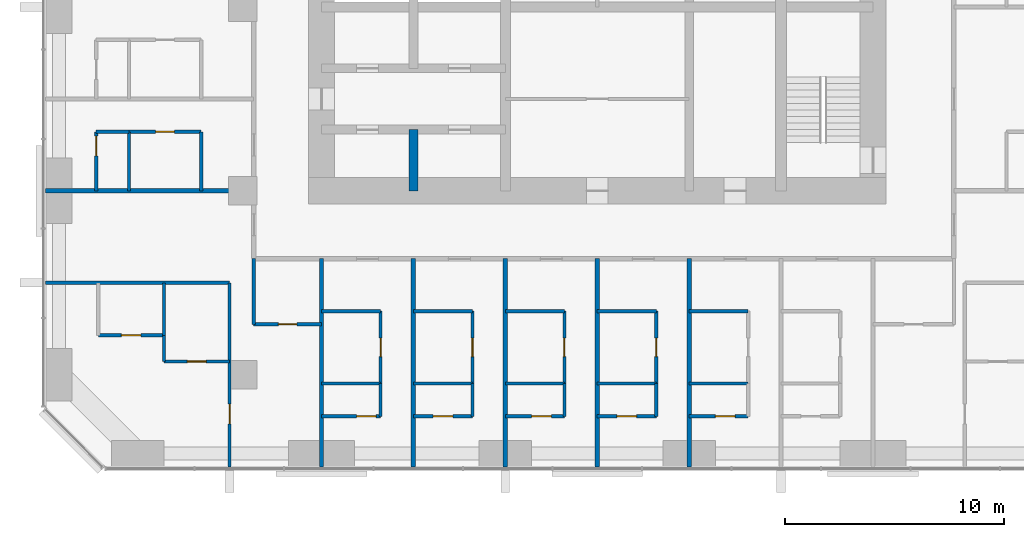
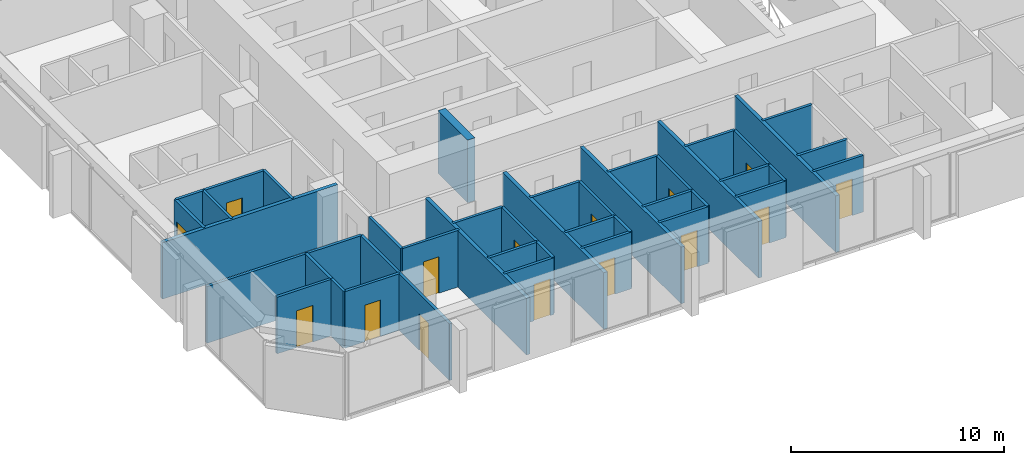
# One storey, part 8 of 14: 43 walls, 15 doors, 15 openings.
"""IFC4 building model written with IfcOpenShell, lengths in metres."""

from ifc_helpers import new_model, si_unit, direction, frame, frame_2d, origin, place, context, subcontext, project, spatial, rectangle, extrude, material, layer, layer_set, type_object, element, fill, save


model = new_model("IFC4")

# Units and contexts
model_context = context("Model", 3, precision=1e-05, world=origin(), true_north=direction((0.0, 1.0)))
body_context = subcontext(model_context, "Body", "Model", "MODEL_VIEW")
ifc_project = project(units=[si_unit("LENGTHUNIT", "METRE"), si_unit("AREAUNIT", "SQUARE_METRE"), si_unit("VOLUMEUNIT", "CUBIC_METRE"), si_unit("PLANEANGLEUNIT", "RADIAN"), si_unit("MASSUNIT", "GRAM", prefix="KILO")], contexts=[model_context])

# Site, building, storey
site_placement = place(None, origin())
site = spatial("IfcSite", under=ifc_project, at=site_placement, CompositionType="ELEMENT")
building_placement = place(site_placement, origin())
building = spatial("IfcBuilding", under=site, at=building_placement, Name="Dunama Terrace Hotel", CompositionType="ELEMENT")
storey_placement = place(building_placement, frame((0.0, 0.0, 213.0)))
storey = spatial("IfcBuildingStorey", under=building, at=storey_placement, Name="L55", CompositionType="ELEMENT", Elevation=213.0)

# Walls
ifc_material_1 = material(Name="Gypsum board partition", Category="masonry")
ifc_layer_1 = layer(ifc_material_1, 0.14990234375)
ifc_layer_set_1 = layer_set([ifc_layer_1], Name="Bathroom partition 150")
wall_type_1 = type_object("IfcWallType", Name="Bathroom partition 150", PredefinedType="PARTITIONING", material=ifc_layer_set_1)
wall_1_placement = place(storey_placement, frame((9.60009765625, 9.0, 0.0), z_axis=(0.0, 0.0, 1.0), x_axis=(0.0, 1.0, 0.0)))
element("IfcWall", 1, at=wall_1_placement, inside=storey, type_object=wall_type_1, Name="Bathroom partition 150 L55", PredefinedType="PARTITIONING", context=body_context, shape_type="SweptSolid", body=[
    extrude(rectangle(XDim=1.199951171875, YDim=0.14990234375, at=frame_2d((0.60009765625, 0.0))), origin(), (0.0, 0.0, 1.0), 3.25),
])
wall_2_placement = place(storey_placement, frame((11.300048828125, 16.800048828125, 0.0), z_axis=(0.0, 0.0, 1.0), x_axis=(0.0, 1.0, 0.0)))
element("IfcWall", 2, at=wall_2_placement, inside=storey, type_object=wall_type_1, Name="Bathroom partition 150 L55", PredefinedType="PARTITIONING", context=body_context, shape_type="SweptSolid", body=[
    extrude(rectangle(XDim=2.699951171875, YDim=0.14990234375, at=frame_2d((1.35009765625, 0.0))), origin(), (0.0, 0.0, 1.0), 3.25),
])
wall_3_placement = place(storey_placement, frame((13.699951171875, 10.699951171875, 0.0), z_axis=(0.0, 0.0, 1.0), x_axis=(0.0, 1.0, 0.0)))
element("IfcWall", 3, at=wall_3_placement, inside=storey, type_object=wall_type_1, Name="Bathroom partition 150 L55", PredefinedType="PARTITIONING", context=body_context, shape_type="SweptSolid", body=[
    extrude(rectangle(XDim=3.0, YDim=0.14990234375, at=frame_2d((1.5, 0.0))), origin(), (0.0, 0.0, 1.0), 3.25),
])

# Wall, opening, door
wall_4_placement = place(storey_placement, frame((19.5, 8.0, 0.0), z_axis=(0.0, 0.0, 1.0), x_axis=(0.0, 1.0, 0.0)))
wall_4 = element("IfcWall", 4, at=wall_4_placement, inside=storey, type_object=wall_type_1, Name="Bathroom partition 150 L55", PredefinedType="PARTITIONING", context=body_context, shape_type="SweptSolid", body=[
    extrude(rectangle(XDim=3.300048828125, YDim=0.14990234375, at=frame_2d((1.64990234375, 0.0))), origin(), (0.0, 0.0, 1.0), 3.25),
])
opening_1_placement = place(wall_4_placement, frame((1.22509765625, 0.0, 0.0)))
opening_1 = element("IfcOpeningElement", 5, at=opening_1_placement, cuts=wall_4, Name="Opening L55-010", PredefinedType="OPENING", context=body_context, shape_type="SweptSolid", body=[
    extrude(rectangle(XDim=0.85009765625, YDim=2.10009765625, at=frame_2d((0.425048828125, 1.050048828125))), frame((0.0, 0.0849609375, 0.0), z_axis=(0.0, -1.0, 0.0), x_axis=(1.0, 0.0, 0.0)), (0.0, 0.0, 1.0), 0.169921875),
])
ifc_material_2 = material(Name="Timber door with steel frame", Category="steel")
door_type_1 = type_object("IfcDoorType", Name="Bathroom door 850", OperationType="SINGLE_SWING_LEFT", PredefinedType="DOOR", material=ifc_material_2)
door_1_placement = place(opening_1_placement, origin())
door_1 = element("IfcDoor", 6, at=door_1_placement, inside=storey, type_object=door_type_1, Name="Door to en-suite bathroom L55-010, type D2", OperationType="SINGLE_SWING_LEFT", OverallHeight=2.10009765625, OverallWidth=0.85009765625, PredefinedType="DOOR", context=body_context, shape_type="SweptSolid", body=[
    extrude(rectangle(XDim=0.85009765625, YDim=2.10009765625, at=frame_2d((0.425048828125, 1.050048828125))), frame((0.0, 0.02490234375, 0.0), z_axis=(0.0, -1.0, 0.0), x_axis=(1.0, 0.0, 0.0)), (0.0, 0.0, 1.0), 0.050048828125),
])
fill(opening_1, door_1)

wall_5_placement = place(storey_placement, frame((23.699951171875, 8.0, 0.0), z_axis=(0.0, 0.0, 1.0), x_axis=(0.0, 1.0, 0.0)))
wall_5 = element("IfcWall", 7, at=wall_5_placement, inside=storey, type_object=wall_type_1, Name="Bathroom partition 150 L55", PredefinedType="PARTITIONING", context=body_context, shape_type="SweptSolid", body=[
    extrude(rectangle(XDim=3.300048828125, YDim=0.14990234375, at=frame_2d((1.64990234375, 0.0))), origin(), (0.0, 0.0, 1.0), 3.25),
])
opening_2_placement = place(wall_5_placement, frame((1.22509765625, 0.0, 0.0)))
opening_2 = element("IfcOpeningElement", 8, at=opening_2_placement, cuts=wall_5, Name="Opening L55-013", PredefinedType="OPENING", context=body_context, shape_type="SweptSolid", body=[
    extrude(rectangle(XDim=0.85009765625, YDim=2.10009765625, at=frame_2d((0.425048828125, 1.050048828125))), frame((0.0, 0.0849609375, 0.0), z_axis=(0.0, -1.0, 0.0), x_axis=(1.0, 0.0, 0.0)), (0.0, 0.0, 1.0), 0.169921875),
])
door_2_placement = place(opening_2_placement, origin())
door_2 = element("IfcDoor", 9, at=door_2_placement, inside=storey, type_object=door_type_1, Name="Door to en-suite bathroom L55-013, type D2", OperationType="SINGLE_SWING_LEFT", OverallHeight=2.10009765625, OverallWidth=0.85009765625, PredefinedType="DOOR", context=body_context, shape_type="SweptSolid", body=[
    extrude(rectangle(XDim=0.85009765625, YDim=2.10009765625, at=frame_2d((0.425048828125, 1.050048828125))), frame((0.0, 0.02490234375, 0.0), z_axis=(0.0, -1.0, 0.0), x_axis=(1.0, 0.0, 0.0)), (0.0, 0.0, 1.0), 0.050048828125),
])
fill(opening_2, door_2)

wall_6_placement = place(storey_placement, frame((27.89990234375, 8.0, 0.0), z_axis=(0.0, 0.0, 1.0), x_axis=(0.0, 1.0, 0.0)))
wall_6 = element("IfcWall", 10, at=wall_6_placement, inside=storey, type_object=wall_type_1, Name="Bathroom partition 150 L55", PredefinedType="PARTITIONING", context=body_context, shape_type="SweptSolid", body=[
    extrude(rectangle(XDim=3.300048828125, YDim=0.14990234375, at=frame_2d((1.64990234375, 0.0))), origin(), (0.0, 0.0, 1.0), 3.25),
])
opening_3_placement = place(wall_6_placement, frame((1.22509765625, 0.0, 0.0)))
opening_3 = element("IfcOpeningElement", 11, at=opening_3_placement, cuts=wall_6, Name="Opening L55-016", PredefinedType="OPENING", context=body_context, shape_type="SweptSolid", body=[
    extrude(rectangle(XDim=0.85009765625, YDim=2.10009765625, at=frame_2d((0.425048828125, 1.050048828125))), frame((0.0, 0.0849609375, 0.0), z_axis=(0.0, -1.0, 0.0), x_axis=(1.0, 0.0, 0.0)), (0.0, 0.0, 1.0), 0.169921875),
])
door_3_placement = place(opening_3_placement, origin())
door_3 = element("IfcDoor", 12, at=door_3_placement, inside=storey, type_object=door_type_1, Name="Door to en-suite bathroom L55-016, type D2", OperationType="SINGLE_SWING_LEFT", OverallHeight=2.10009765625, OverallWidth=0.85009765625, PredefinedType="DOOR", context=body_context, shape_type="SweptSolid", body=[
    extrude(rectangle(XDim=0.85009765625, YDim=2.10009765625, at=frame_2d((0.425048828125, 1.050048828125))), frame((0.0, 0.02490234375, 0.0), z_axis=(0.0, -1.0, 0.0), x_axis=(1.0, 0.0, 0.0)), (0.0, 0.0, 1.0), 0.050048828125),
])
fill(opening_3, door_3)

wall_7_placement = place(storey_placement, frame((32.10009765625, 8.0, 0.0), z_axis=(0.0, 0.0, 1.0), x_axis=(0.0, 1.0, 0.0)))
wall_7 = element("IfcWall", 13, at=wall_7_placement, inside=storey, type_object=wall_type_1, Name="Bathroom partition 150 L55", PredefinedType="PARTITIONING", context=body_context, shape_type="SweptSolid", body=[
    extrude(rectangle(XDim=3.300048828125, YDim=0.14990234375, at=frame_2d((1.64990234375, 0.0))), origin(), (0.0, 0.0, 1.0), 3.25),
])
opening_4_placement = place(wall_7_placement, frame((1.22509765625, 0.0, 0.0)))
opening_4 = element("IfcOpeningElement", 14, at=opening_4_placement, cuts=wall_7, Name="Opening L55-019", PredefinedType="OPENING", context=body_context, shape_type="SweptSolid", body=[
    extrude(rectangle(XDim=0.85009765625, YDim=2.10009765625, at=frame_2d((0.425048828125, 1.050048828125))), frame((0.0, 0.0849609375, 0.0), z_axis=(0.0, -1.0, 0.0), x_axis=(1.0, 0.0, 0.0)), (0.0, 0.0, 1.0), 0.169921875),
])
door_4_placement = place(opening_4_placement, origin())
door_4 = element("IfcDoor", 15, at=door_4_placement, inside=storey, type_object=door_type_1, Name="Door to en-suite bathroom L55-019, type D2", OperationType="SINGLE_SWING_LEFT", OverallHeight=2.10009765625, OverallWidth=0.85009765625, PredefinedType="DOOR", context=body_context, shape_type="SweptSolid", body=[
    extrude(rectangle(XDim=0.85009765625, YDim=2.10009765625, at=frame_2d((0.425048828125, 1.050048828125))), frame((0.0, 0.02490234375, 0.0), z_axis=(0.0, -1.0, 0.0), x_axis=(1.0, 0.0, 0.0)), (0.0, 0.0, 1.0), 0.050048828125),
])
fill(opening_4, door_4)

wall_8_placement = place(storey_placement, frame((9.60009765625, 9.0, 0.0), z_axis=(0.0, 0.0, 1.0), x_axis=(1.0, 0.0, 0.0)))
wall_8 = element("IfcWall", 16, at=wall_8_placement, inside=storey, type_object=wall_type_1, Name="Bathroom partition 150 L55", PredefinedType="PARTITIONING", context=body_context, shape_type="SweptSolid", body=[
    extrude(rectangle(XDim=3.0, YDim=0.14990234375, at=frame_2d((1.5, 0.0))), origin(), (0.0, 0.0, 1.0), 3.25),
])
opening_5_placement = place(wall_8_placement, frame((1.074951171875, 0.0, 0.0)))
opening_5 = element("IfcOpeningElement", 17, at=opening_5_placement, cuts=wall_8, Name="Opening L55-051", PredefinedType="OPENING", context=body_context, shape_type="SweptSolid", body=[
    extrude(rectangle(XDim=0.85009765625, YDim=2.10009765625, at=frame_2d((0.425048828125, 1.050048828125))), frame((0.0, 0.0849609375, 0.0), z_axis=(0.0, -1.0, 0.0), x_axis=(1.0, 0.0, 0.0)), (0.0, 0.0, 1.0), 0.169921875),
])
door_5_placement = place(opening_5_placement, origin())
door_5 = element("IfcDoor", 18, at=door_5_placement, inside=storey, type_object=door_type_1, Name="Door to en-suite bathroom L55-051, type D2", OperationType="SINGLE_SWING_LEFT", OverallHeight=2.10009765625, OverallWidth=0.85009765625, PredefinedType="DOOR", context=body_context, shape_type="SweptSolid", body=[
    extrude(rectangle(XDim=0.85009765625, YDim=2.10009765625, at=frame_2d((0.425048828125, 1.050048828125))), frame((0.0, 0.02490234375, 0.0), z_axis=(0.0, -1.0, 0.0), x_axis=(1.0, 0.0, 0.0)), (0.0, 0.0, 1.0), 0.050048828125),
])
fill(opening_5, door_5)

wall_9_placement = place(storey_placement, frame((13.699951171875, 10.699951171875, 0.0), z_axis=(0.0, 0.0, 1.0), x_axis=(1.0, 0.0, 0.0)))
wall_9 = element("IfcWall", 19, at=wall_9_placement, inside=storey, type_object=wall_type_1, Name="Bathroom partition 150 L55", PredefinedType="PARTITIONING", context=body_context, shape_type="SweptSolid", body=[
    extrude(rectangle(XDim=3.10009765625, YDim=0.14990234375, at=frame_2d((1.550048828125, 0.0))), origin(), (0.0, 0.0, 1.0), 3.25),
])
opening_6_placement = place(wall_9_placement, frame((1.125, 0.0, 0.0)))
opening_6 = element("IfcOpeningElement", 20, at=opening_6_placement, cuts=wall_9, Name="Opening L55-049", PredefinedType="OPENING", context=body_context, shape_type="SweptSolid", body=[
    extrude(rectangle(XDim=0.85009765625, YDim=2.10009765625, at=frame_2d((0.425048828125, 1.050048828125))), frame((0.0, 0.0849609375, 0.0), z_axis=(0.0, -1.0, 0.0), x_axis=(1.0, 0.0, 0.0)), (0.0, 0.0, 1.0), 0.169921875),
])
door_6_placement = place(opening_6_placement, origin())
door_6 = element("IfcDoor", 21, at=door_6_placement, inside=storey, type_object=door_type_1, Name="Door to powder room L55-049, type D2", OperationType="SINGLE_SWING_RIGHT", OverallHeight=2.10009765625, OverallWidth=0.85009765625, PredefinedType="DOOR", context=body_context, shape_type="SweptSolid", body=[
    extrude(rectangle(XDim=0.85009765625, YDim=2.10009765625, at=frame_2d((0.425048828125, 1.050048828125))), frame((0.0, 0.02490234375, 0.0), z_axis=(0.0, -1.0, 0.0), x_axis=(1.0, 0.0, 0.0)), (0.0, 0.0, 1.0), 0.050048828125),
])
fill(opening_6, door_6)

# Walls
for number, where, z_axis, x_axis, name in (
    (22, (16.800048828125, 11.300048828125, 0.0), (0.0, 0.0, 1.0), (1.0, 0.0, 0.0), "Bathroom partition 150 L55"),
    (23, (21.0, 11.300048828125, 0.0), (0.0, 0.0, 1.0), (1.0, 0.0, 0.0), "Bathroom partition 150 L55"),
    (24, (25.199951171875, 11.300048828125, 0.0), (0.0, 0.0, 1.0), (1.0, 0.0, 0.0), "Bathroom partition 150 L55"),
):
    element("IfcWall", number, at=place(storey_placement, frame(where, z_axis=z_axis, x_axis=x_axis)), inside=storey, type_object=wall_type_1, Name=name, PredefinedType="PARTITIONING", context=body_context, shape_type="SweptSolid", body=[
        extrude(rectangle(XDim=2.699951171875, YDim=0.14990234375, at=frame_2d((1.35009765625, 0.0))), origin(), (0.0, 0.0, 1.0), 3.25),
    ])
wall_10_placement = place(storey_placement, frame((29.39990234375, 11.300048828125, 0.0), z_axis=(0.0, 0.0, 1.0), x_axis=(1.0, 0.0, 0.0)))
element("IfcWall", 25, at=wall_10_placement, inside=storey, type_object=wall_type_1, Name="Bathroom partition 150 L55", PredefinedType="PARTITIONING", context=body_context, shape_type="SweptSolid", body=[
    extrude(rectangle(XDim=2.7001953125, YDim=0.14990234375, at=frame_2d((1.35009765625, 0.0))), origin(), (0.0, 0.0, 1.0), 3.25),
])
wall_11_placement = place(storey_placement, frame((33.60009765625, 11.300048828125, 0.0), z_axis=(0.0, 0.0, 1.0), x_axis=(1.0, 0.0, 0.0)))
element("IfcWall", 26, at=wall_11_placement, inside=storey, type_object=wall_type_1, Name="Bathroom partition 150 L55", PredefinedType="PARTITIONING", context=body_context, shape_type="SweptSolid", body=[
    extrude(rectangle(XDim=2.699951171875, YDim=0.14990234375, at=frame_2d((1.35009765625, 0.0))), origin(), (0.0, 0.0, 1.0), 3.25),
])

# Wall, opening, door
wall_12_placement = place(storey_placement, frame((8.0, 19.5, 0.0), z_axis=(0.0, 0.0, 1.0), x_axis=(1.0, 0.0, 0.0)))
wall_12 = element("IfcWall", 27, at=wall_12_placement, inside=storey, type_object=wall_type_1, Name="Bathroom partition 150 L55", PredefinedType="PARTITIONING", context=body_context, shape_type="SweptSolid", body=[
    extrude(rectangle(XDim=3.300048828125, YDim=0.14990234375, at=frame_2d((1.64990234375, 0.0))), origin(), (0.0, 0.0, 1.0), 3.25),
])
opening_7_placement = place(wall_12_placement, frame((1.22509765625, 0.0, 0.0)))
opening_7 = element("IfcOpeningElement", 28, at=opening_7_placement, cuts=wall_12, Name="Opening L55-037", PredefinedType="OPENING", context=body_context, shape_type="SweptSolid", body=[
    extrude(rectangle(XDim=0.85009765625, YDim=2.10009765625, at=frame_2d((0.425048828125, 1.050048828125))), frame((0.0, 0.0849609375, 0.0), z_axis=(0.0, -1.0, 0.0), x_axis=(1.0, 0.0, 0.0)), (0.0, 0.0, 1.0), 0.169921875),
])
door_7_placement = place(opening_7_placement, frame((0.85009765625, 0.0, 0.0), z_axis=(0.0, 0.0, 1.0), x_axis=(-1.0, 0.0, 0.0)))
door_7 = element("IfcDoor", 29, at=door_7_placement, inside=storey, type_object=door_type_1, Name="Door to en-suite bathroom L55-037, type D2", OperationType="SINGLE_SWING_RIGHT", OverallHeight=2.10009765625, OverallWidth=0.85009765625, PredefinedType="DOOR", context=body_context, shape_type="SweptSolid", body=[
    extrude(rectangle(XDim=0.85009765625, YDim=2.10009765625, at=frame_2d((0.425048828125, 1.050048828125))), frame((0.0, 0.025146484375, 0.0), z_axis=(0.0, -1.0, 0.0), x_axis=(1.0, 0.0, 0.0)), (0.0, 0.0, 1.0), 0.050048828125),
])
fill(opening_7, door_7)

# Walls
ifc_material_3 = material(Name="Concrete C50/60", Category="concrete")
ifc_layer_2 = layer(ifc_material_3, 0.39990234375)
ifc_layer_set_2 = layer_set([ifc_layer_2], Name="Core inner wall 400")
wall_type_2 = type_object("IfcWallType", Name="Core inner wall 400", PredefinedType="SHEAR", material=ifc_layer_set_2)
wall_13_placement = place(storey_placement, frame((21.0, 16.800048828125, -0.35009765625), z_axis=(0.0, 0.0, 1.0), x_axis=(0.0, 1.0, 0.0)))
element("IfcWall", 30, at=wall_13_placement, inside=storey, type_object=wall_type_2, Name="Core inner wall 400 L55", PredefinedType="SHEAR", context=body_context, shape_type="SweptSolid", body=[
    extrude(rectangle(XDim=2.800048828125, YDim=0.39990234375, at=frame_2d((1.39990234375, 0.0))), origin(), (0.0, 0.0, 1.0), 3.60009765625),
])
ifc_material_4 = material(Name="Concrete blockwork", Category="masonry")
ifc_layer_3 = layer(ifc_material_4, 0.199951171875)
ifc_layer_set_3 = layer_set([ifc_layer_3], Name="Party wall 200")
wall_type_3 = type_object("IfcWallType", Name="Party wall 200", PredefinedType="PARTITIONING", material=ifc_layer_set_3)
for number, where, z_axis, x_axis, name in (
    (31, (16.800048828125, 4.181884765625, 0.0), (0.0, 0.0, 1.0), (0.0, 1.0, 0.0), "Party wall 200 L55"),
    (32, (21.0, 4.181884765625, 0.0), (0.0, 0.0, 1.0), (0.0, 1.0, 0.0), "Party wall 200 L55"),
    (33, (25.199951171875, 4.181884765625, 0.0), (0.0, 0.0, 1.0), (0.0, 1.0, 0.0), "Party wall 200 L55"),
    (34, (29.39990234375, 4.181884765625, 0.0), (0.0, 0.0, 1.0), (0.0, 1.0, 0.0), "Party wall 200 L55"),
    (35, (33.60009765625, 4.181884765625, 0.0), (0.0, 0.0, 1.0), (0.0, 1.0, 0.0), "Party wall 200 L55"),
    (36, (4.181884765625, 16.800048828125, 0.0), (0.0, 0.0, 1.0), (1.0, 0.0, 0.0), "Party wall 200 L55"),
):
    element("IfcWall", number, at=place(storey_placement, frame(where, z_axis=z_axis, x_axis=x_axis)), inside=storey, type_object=wall_type_3, Name=name, PredefinedType="PARTITIONING", context=body_context, shape_type="SweptSolid", body=[
        extrude(rectangle(XDim=9.51806640625, YDim=0.199951171875, at=frame_2d((4.759033203125, 0.0))), origin(), (0.0, 0.0, 1.0), 3.25),
    ])

# Wall, opening, door
ifc_material_5 = material(Name="Gypsum board partition", Category="masonry")
ifc_layer_4 = layer(ifc_material_5, 0.14990234375)
ifc_layer_set_4 = layer_set([ifc_layer_4], Name="Room partition 150")
wall_type_4 = type_object("IfcWallType", Name="Room partition 150", PredefinedType="PARTITIONING", material=ifc_layer_set_4)
wall_14_placement = place(storey_placement, frame((6.5, 16.800048828125, 0.0), z_axis=(0.0, 0.0, 1.0), x_axis=(0.0, 1.0, 0.0)))
wall_14 = element("IfcWall", 37, at=wall_14_placement, inside=storey, type_object=wall_type_4, Name="Room partition 150 L55", PredefinedType="PARTITIONING", context=body_context, shape_type="SweptSolid", body=[
    extrude(rectangle(XDim=2.699951171875, YDim=0.14990234375, at=frame_2d((1.35009765625, 0.0))), origin(), (0.0, 0.0, 1.0), 3.25),
])
opening_8_placement = place(wall_14_placement, frame((1.60009765625, 0.0, 0.0)))
opening_8 = element("IfcOpeningElement", 38, at=opening_8_placement, cuts=wall_14, Name="Opening L55-038", PredefinedType="OPENING", context=body_context, shape_type="SweptSolid", body=[
    extrude(rectangle(XDim=0.89990234375, YDim=2.10009765625, at=frame_2d((0.449951171875, 1.050048828125))), frame((0.0, 0.0849609375, 0.0), z_axis=(0.0, -1.0, 0.0), x_axis=(1.0, 0.0, 0.0)), (0.0, 0.0, 1.0), 0.169921875),
])
ifc_material_6 = material(Name="Timber door with steel frame", Category="steel")
door_type_2 = type_object("IfcDoorType", Name="Suite internal door 900", OperationType="SINGLE_SWING_LEFT", PredefinedType="DOOR", material=ifc_material_6)
door_8_placement = place(opening_8_placement, frame((0.89990234375, 0.0, 0.0), z_axis=(0.0, 0.0, 1.0), x_axis=(-1.0, 0.0, 0.0)))
door_8 = element("IfcDoor", 39, at=door_8_placement, inside=storey, type_object=door_type_2, Name="Door to walk-in wardrobe L55-038, type D16", OperationType="SINGLE_SWING_LEFT", OverallHeight=2.10009765625, OverallWidth=0.89990234375, PredefinedType="DOOR", context=body_context, shape_type="SweptSolid", body=[
    extrude(rectangle(XDim=0.89990234375, YDim=2.10009765625, at=frame_2d((0.449951171875, 1.050048828125))), frame((0.0, 0.025146484375, 0.0), z_axis=(0.0, -1.0, 0.0), x_axis=(1.0, 0.0, 0.0)), (0.0, 0.0, 1.0), 0.050048828125),
])
fill(opening_8, door_8)

# Walls
wall_15_placement = place(storey_placement, frame((8.0, 16.800048828125, 0.0), z_axis=(0.0, 0.0, 1.0), x_axis=(0.0, 1.0, 0.0)))
element("IfcWall", 40, at=wall_15_placement, inside=storey, type_object=wall_type_4, Name="Room partition 150 L55", PredefinedType="PARTITIONING", context=body_context, shape_type="SweptSolid", body=[
    extrude(rectangle(XDim=2.699951171875, YDim=0.14990234375, at=frame_2d((1.35009765625, 0.0))), origin(), (0.0, 0.0, 1.0), 3.25),
])
wall_16_placement = place(storey_placement, frame((9.60009765625, 10.199951171875, 0.0), z_axis=(0.0, 0.0, 1.0), x_axis=(0.0, 1.0, 0.0)))
element("IfcWall", 41, at=wall_16_placement, inside=storey, type_object=wall_type_4, Name="Room partition 150 L55", PredefinedType="PARTITIONING", context=body_context, shape_type="SweptSolid", body=[
    extrude(rectangle(XDim=2.400146484375, YDim=0.14990234375, at=frame_2d((1.2001953125, 0.0))), origin(), (0.0, 0.0, 1.0), 3.25),
])

# Wall, opening, door
wall_17_placement = place(storey_placement, frame((12.60009765625, 4.181884765625, 0.0), z_axis=(0.0, 0.0, 1.0), x_axis=(0.0, 1.0, 0.0)))
wall_17 = element("IfcWall", 42, at=wall_17_placement, inside=storey, type_object=wall_type_4, Name="Room partition 150 L55", PredefinedType="PARTITIONING", context=body_context, shape_type="SweptSolid", body=[
    extrude(rectangle(XDim=8.418212890625, YDim=0.14990234375, at=frame_2d((4.208984375, 0.0))), origin(), (0.0, 0.0, 1.0), 3.25),
])
opening_9_placement = place(wall_17_placement, frame((1.968017578125, 0.0, 0.0)))
opening_9 = element("IfcOpeningElement", 43, at=opening_9_placement, cuts=wall_17, Name="Opening L55-050", PredefinedType="OPENING", context=body_context, shape_type="SweptSolid", body=[
    extrude(rectangle(XDim=0.89990234375, YDim=2.10009765625, at=frame_2d((0.449951171875, 1.050048828125))), frame((0.0, 0.0849609375, 0.0), z_axis=(0.0, -1.0, 0.0), x_axis=(1.0, 0.0, 0.0)), (0.0, 0.0, 1.0), 0.169921875),
])
door_9_placement = place(opening_9_placement, origin())
door_9 = element("IfcDoor", 44, at=door_9_placement, inside=storey, type_object=door_type_2, Name="Door to corner suite bedroom L55-050, type D16", OperationType="SINGLE_SWING_RIGHT", OverallHeight=2.10009765625, OverallWidth=0.89990234375, PredefinedType="DOOR", context=body_context, shape_type="SweptSolid", body=[
    extrude(rectangle(XDim=0.89990234375, YDim=2.10009765625, at=frame_2d((0.449951171875, 1.050048828125))), frame((0.0, 0.02490234375, 0.0), z_axis=(0.0, -1.0, 0.0), x_axis=(1.0, 0.0, 0.0)), (0.0, 0.0, 1.0), 0.050048828125),
])
fill(opening_9, door_9)

# Walls
for number, where, z_axis, x_axis, name in (
    (45, (19.5, 6.5, 0.0), (0.0, 0.0, 1.0), (0.0, 1.0, 0.0), "Room partition 150 L55"),
    (46, (23.699951171875, 6.5, 0.0), (0.0, 0.0, 1.0), (0.0, 1.0, 0.0), "Room partition 150 L55"),
    (47, (27.89990234375, 6.5, 0.0), (0.0, 0.0, 1.0), (0.0, 1.0, 0.0), "Room partition 150 L55"),
    (48, (32.10009765625, 6.5, 0.0), (0.0, 0.0, 1.0), (0.0, 1.0, 0.0), "Room partition 150 L55"),
):
    element("IfcWall", number, at=place(storey_placement, frame(where, z_axis=z_axis, x_axis=x_axis)), inside=storey, type_object=wall_type_4, Name=name, PredefinedType="PARTITIONING", context=body_context, shape_type="SweptSolid", body=[
        extrude(rectangle(XDim=1.5, YDim=0.14990234375, at=frame_2d((0.75, 0.0))), origin(), (0.0, 0.0, 1.0), 3.25),
    ])

# Wall, opening, door
wall_18_placement = place(storey_placement, frame((16.800048828125, 6.5, 0.0), z_axis=(0.0, 0.0, 1.0), x_axis=(1.0, 0.0, 0.0)))
wall_18 = element("IfcWall", 49, at=wall_18_placement, inside=storey, type_object=wall_type_4, Name="Room partition 150 L55", PredefinedType="PARTITIONING", context=body_context, shape_type="SweptSolid", body=[
    extrude(rectangle(XDim=2.699951171875, YDim=0.14990234375, at=frame_2d((1.35009765625, 0.0))), origin(), (0.0, 0.0, 1.0), 3.25),
])
opening_10_placement = place(wall_18_placement, frame((1.60009765625, 0.0, 0.0)))
opening_10 = element("IfcOpeningElement", 50, at=opening_10_placement, cuts=wall_18, Name="Opening L55-011", PredefinedType="OPENING", context=body_context, shape_type="SweptSolid", body=[
    extrude(rectangle(XDim=0.89990234375, YDim=2.10009765625, at=frame_2d((0.449951171875, 1.050048828125))), frame((0.0, 0.0849609375, 0.0), z_axis=(0.0, -1.0, 0.0), x_axis=(1.0, 0.0, 0.0)), (0.0, 0.0, 1.0), 0.169921875),
])
door_10_placement = place(opening_10_placement, origin())
door_10 = element("IfcDoor", 51, at=door_10_placement, inside=storey, type_object=door_type_2, Name="Door to walk-in wardrobe L55-011, type D16", OperationType="SINGLE_SWING_RIGHT", OverallHeight=2.10009765625, OverallWidth=0.89990234375, PredefinedType="DOOR", context=body_context, shape_type="SweptSolid", body=[
    extrude(rectangle(XDim=0.89990234375, YDim=2.10009765625, at=frame_2d((0.449951171875, 1.050048828125))), frame((0.0, 0.02490234375, 0.0), z_axis=(0.0, -1.0, 0.0), x_axis=(1.0, 0.0, 0.0)), (0.0, 0.0, 1.0), 0.050048828125),
])
fill(opening_10, door_10)

wall_19_placement = place(storey_placement, frame((21.0, 6.5, 0.0), z_axis=(0.0, 0.0, 1.0), x_axis=(1.0, 0.0, 0.0)))
wall_19 = element("IfcWall", 52, at=wall_19_placement, inside=storey, type_object=wall_type_4, Name="Room partition 150 L55", PredefinedType="PARTITIONING", context=body_context, shape_type="SweptSolid", body=[
    extrude(rectangle(XDim=2.699951171875, YDim=0.14990234375, at=frame_2d((1.35009765625, 0.0))), origin(), (0.0, 0.0, 1.0), 3.25),
])
opening_11_placement = place(wall_19_placement, frame((0.89990234375, 0.0, 0.0)))
opening_11 = element("IfcOpeningElement", 53, at=opening_11_placement, cuts=wall_19, Name="Opening L55-014", PredefinedType="OPENING", context=body_context, shape_type="SweptSolid", body=[
    extrude(rectangle(XDim=0.89990234375, YDim=2.10009765625, at=frame_2d((0.449951171875, 1.050048828125))), frame((0.0, 0.0849609375, 0.0), z_axis=(0.0, -1.0, 0.0), x_axis=(1.0, 0.0, 0.0)), (0.0, 0.0, 1.0), 0.169921875),
])
door_11_placement = place(opening_11_placement, origin())
door_11 = element("IfcDoor", 54, at=door_11_placement, inside=storey, type_object=door_type_2, Name="Door to walk-in wardrobe L55-014, type D16", OperationType="SINGLE_SWING_LEFT", OverallHeight=2.10009765625, OverallWidth=0.89990234375, PredefinedType="DOOR", context=body_context, shape_type="SweptSolid", body=[
    extrude(rectangle(XDim=0.89990234375, YDim=2.10009765625, at=frame_2d((0.449951171875, 1.050048828125))), frame((0.0, 0.02490234375, 0.0), z_axis=(0.0, -1.0, 0.0), x_axis=(1.0, 0.0, 0.0)), (0.0, 0.0, 1.0), 0.050048828125),
])
fill(opening_11, door_11)

wall_20_placement = place(storey_placement, frame((25.199951171875, 6.5, 0.0), z_axis=(0.0, 0.0, 1.0), x_axis=(1.0, 0.0, 0.0)))
wall_20 = element("IfcWall", 55, at=wall_20_placement, inside=storey, type_object=wall_type_4, Name="Room partition 150 L55", PredefinedType="PARTITIONING", context=body_context, shape_type="SweptSolid", body=[
    extrude(rectangle(XDim=2.699951171875, YDim=0.14990234375, at=frame_2d((1.35009765625, 0.0))), origin(), (0.0, 0.0, 1.0), 3.25),
])
opening_12_placement = place(wall_20_placement, frame((1.199951171875, 0.0, 0.0)))
opening_12 = element("IfcOpeningElement", 56, at=opening_12_placement, cuts=wall_20, Name="Opening L55-017", PredefinedType="OPENING", context=body_context, shape_type="SweptSolid", body=[
    extrude(rectangle(XDim=0.89990234375, YDim=2.10009765625, at=frame_2d((0.449951171875, 1.050048828125))), frame((0.0, 0.0849609375, 0.0), z_axis=(0.0, -1.0, 0.0), x_axis=(1.0, 0.0, 0.0)), (0.0, 0.0, 1.0), 0.169921875),
])
door_12_placement = place(opening_12_placement, origin())
door_12 = element("IfcDoor", 57, at=door_12_placement, inside=storey, type_object=door_type_2, Name="Door to walk-in wardrobe L55-017, type D16", OperationType="SINGLE_SWING_LEFT", OverallHeight=2.10009765625, OverallWidth=0.89990234375, PredefinedType="DOOR", context=body_context, shape_type="SweptSolid", body=[
    extrude(rectangle(XDim=0.89990234375, YDim=2.10009765625, at=frame_2d((0.449951171875, 1.050048828125))), frame((0.0, 0.02490234375, 0.0), z_axis=(0.0, -1.0, 0.0), x_axis=(1.0, 0.0, 0.0)), (0.0, 0.0, 1.0), 0.050048828125),
])
fill(opening_12, door_12)

wall_21_placement = place(storey_placement, frame((29.39990234375, 6.5, 0.0), z_axis=(0.0, 0.0, 1.0), x_axis=(1.0, 0.0, 0.0)))
wall_21 = element("IfcWall", 58, at=wall_21_placement, inside=storey, type_object=wall_type_4, Name="Room partition 150 L55", PredefinedType="PARTITIONING", context=body_context, shape_type="SweptSolid", body=[
    extrude(rectangle(XDim=2.7001953125, YDim=0.14990234375, at=frame_2d((1.35009765625, 0.0))), origin(), (0.0, 0.0, 1.0), 3.25),
])
opening_13_placement = place(wall_21_placement, frame((0.89990234375, 0.0, 0.0)))
opening_13 = element("IfcOpeningElement", 59, at=opening_13_placement, cuts=wall_21, Name="Opening L55-020", PredefinedType="OPENING", context=body_context, shape_type="SweptSolid", body=[
    extrude(rectangle(XDim=0.89990234375, YDim=2.10009765625, at=frame_2d((0.449951171875, 1.050048828125))), frame((0.0, 0.0849609375, 0.0), z_axis=(0.0, -1.0, 0.0), x_axis=(1.0, 0.0, 0.0)), (0.0, 0.0, 1.0), 0.169921875),
])
door_13_placement = place(opening_13_placement, origin())
door_13 = element("IfcDoor", 60, at=door_13_placement, inside=storey, type_object=door_type_2, Name="Door to walk-in wardrobe L55-020, type D16", OperationType="SINGLE_SWING_LEFT", OverallHeight=2.10009765625, OverallWidth=0.89990234375, PredefinedType="DOOR", context=body_context, shape_type="SweptSolid", body=[
    extrude(rectangle(XDim=0.89990234375, YDim=2.10009765625, at=frame_2d((0.449951171875, 1.050048828125))), frame((0.0, 0.02490234375, 0.0), z_axis=(0.0, -1.0, 0.0), x_axis=(1.0, 0.0, 0.0)), (0.0, 0.0, 1.0), 0.050048828125),
])
fill(opening_13, door_13)

wall_22_placement = place(storey_placement, frame((33.60009765625, 6.5, 0.0), z_axis=(0.0, 0.0, 1.0), x_axis=(1.0, 0.0, 0.0)))
wall_22 = element("IfcWall", 61, at=wall_22_placement, inside=storey, type_object=wall_type_4, Name="Room partition 150 L55", PredefinedType="PARTITIONING", context=body_context, shape_type="SweptSolid", body=[
    extrude(rectangle(XDim=2.699951171875, YDim=0.14990234375, at=frame_2d((1.35009765625, 0.0))), origin(), (0.0, 0.0, 1.0), 3.25),
])
opening_14_placement = place(wall_22_placement, frame((1.199951171875, 0.0, 0.0)))
opening_14 = element("IfcOpeningElement", 62, at=opening_14_placement, cuts=wall_22, Name="Opening L55-023", PredefinedType="OPENING", context=body_context, shape_type="SweptSolid", body=[
    extrude(rectangle(XDim=0.89990234375, YDim=2.10009765625, at=frame_2d((0.449951171875, 1.050048828125))), frame((0.0, 0.0849609375, 0.0), z_axis=(0.0, -1.0, 0.0), x_axis=(1.0, 0.0, 0.0)), (0.0, 0.0, 1.0), 0.169921875),
])
door_14_placement = place(opening_14_placement, origin())
door_14 = element("IfcDoor", 63, at=door_14_placement, inside=storey, type_object=door_type_2, Name="Door to walk-in wardrobe L55-023, type D16", OperationType="SINGLE_SWING_LEFT", OverallHeight=2.10009765625, OverallWidth=0.89990234375, PredefinedType="DOOR", context=body_context, shape_type="SweptSolid", body=[
    extrude(rectangle(XDim=0.89990234375, YDim=2.10009765625, at=frame_2d((0.449951171875, 1.050048828125))), frame((0.0, 0.02490234375, 0.0), z_axis=(0.0, -1.0, 0.0), x_axis=(1.0, 0.0, 0.0)), (0.0, 0.0, 1.0), 0.050048828125),
])
fill(opening_14, door_14)

# Walls
for number, where, z_axis, x_axis, name in (
    (64, (16.800048828125, 8.0, 0.0), (0.0, 0.0, 1.0), (1.0, 0.0, 0.0), "Room partition 150 L55"),
    (65, (21.0, 8.0, 0.0), (0.0, 0.0, 1.0), (1.0, 0.0, 0.0), "Room partition 150 L55"),
    (66, (25.199951171875, 8.0, 0.0), (0.0, 0.0, 1.0), (1.0, 0.0, 0.0), "Room partition 150 L55"),
):
    element("IfcWall", number, at=place(storey_placement, frame(where, z_axis=z_axis, x_axis=x_axis)), inside=storey, type_object=wall_type_4, Name=name, PredefinedType="PARTITIONING", context=body_context, shape_type="SweptSolid", body=[
        extrude(rectangle(XDim=2.699951171875, YDim=0.14990234375, at=frame_2d((1.35009765625, 0.0))), origin(), (0.0, 0.0, 1.0), 3.25),
    ])
wall_23_placement = place(storey_placement, frame((29.39990234375, 8.0, 0.0), z_axis=(0.0, 0.0, 1.0), x_axis=(1.0, 0.0, 0.0)))
element("IfcWall", 67, at=wall_23_placement, inside=storey, type_object=wall_type_4, Name="Room partition 150 L55", PredefinedType="PARTITIONING", context=body_context, shape_type="SweptSolid", body=[
    extrude(rectangle(XDim=2.7001953125, YDim=0.14990234375, at=frame_2d((1.35009765625, 0.0))), origin(), (0.0, 0.0, 1.0), 3.25),
])
wall_24_placement = place(storey_placement, frame((33.60009765625, 8.0, 0.0), z_axis=(0.0, 0.0, 1.0), x_axis=(1.0, 0.0, 0.0)))
element("IfcWall", 68, at=wall_24_placement, inside=storey, type_object=wall_type_4, Name="Room partition 150 L55", PredefinedType="PARTITIONING", context=body_context, shape_type="SweptSolid", body=[
    extrude(rectangle(XDim=2.699951171875, YDim=0.14990234375, at=frame_2d((1.35009765625, 0.0))), origin(), (0.0, 0.0, 1.0), 3.25),
])

# Wall, opening, door
wall_25_placement = place(storey_placement, frame((6.60009765625, 10.199951171875, 0.0), z_axis=(0.0, 0.0, 1.0), x_axis=(1.0, 0.0, 0.0)))
wall_25 = element("IfcWall", 69, at=wall_25_placement, inside=storey, type_object=wall_type_4, Name="Room partition 150 L55", PredefinedType="PARTITIONING", context=body_context, shape_type="SweptSolid", body=[
    extrude(rectangle(XDim=3.0, YDim=0.14990234375, at=frame_2d((1.5, 0.0))), origin(), (0.0, 0.0, 1.0), 3.25),
])
opening_15_placement = place(wall_25_placement, frame((1.050048828125, 0.0, 0.0)))
opening_15 = element("IfcOpeningElement", 70, at=opening_15_placement, cuts=wall_25, Name="Opening L55-052", PredefinedType="OPENING", context=body_context, shape_type="SweptSolid", body=[
    extrude(rectangle(XDim=0.89990234375, YDim=2.10009765625, at=frame_2d((0.449951171875, 1.050048828125))), frame((0.0, 0.0849609375, 0.0), z_axis=(0.0, -1.0, 0.0), x_axis=(1.0, 0.0, 0.0)), (0.0, 0.0, 1.0), 0.169921875),
])
door_15_placement = place(opening_15_placement, origin())
door_15 = element("IfcDoor", 71, at=door_15_placement, inside=storey, type_object=door_type_2, Name="Door to dressing room L55-052, type D16", OperationType="SINGLE_SWING_LEFT", OverallHeight=2.10009765625, OverallWidth=0.89990234375, PredefinedType="DOOR", context=body_context, shape_type="SweptSolid", body=[
    extrude(rectangle(XDim=0.89990234375, YDim=2.10009765625, at=frame_2d((0.449951171875, 1.050048828125))), frame((0.0, 0.02490234375, 0.0), z_axis=(0.0, -1.0, 0.0), x_axis=(1.0, 0.0, 0.0)), (0.0, 0.0, 1.0), 0.050048828125),
])
fill(opening_15, door_15)

# Walls
wall_26_placement = place(storey_placement, frame((4.181884765625, 12.60009765625, 0.0), z_axis=(0.0, 0.0, 1.0), x_axis=(1.0, 0.0, 0.0)))
element("IfcWall", 72, at=wall_26_placement, inside=storey, type_object=wall_type_4, Name="Room partition 150 L55", PredefinedType="PARTITIONING", context=body_context, shape_type="SweptSolid", body=[
    extrude(rectangle(XDim=8.418212890625, YDim=0.14990234375, at=frame_2d((4.208984375, 0.0))), origin(), (0.0, 0.0, 1.0), 3.25),
])
wall_27_placement = place(storey_placement, frame((6.5, 19.5, 0.0), z_axis=(0.0, 0.0, 1.0), x_axis=(1.0, 0.0, 0.0)))
element("IfcWall", 73, at=wall_27_placement, inside=storey, type_object=wall_type_4, Name="Room partition 150 L55", PredefinedType="PARTITIONING", context=body_context, shape_type="SweptSolid", body=[
    extrude(rectangle(XDim=1.5, YDim=0.14990234375, at=frame_2d((0.75, 0.0))), origin(), (0.0, 0.0, 1.0), 3.25),
])

save(model, "model.ifc")
